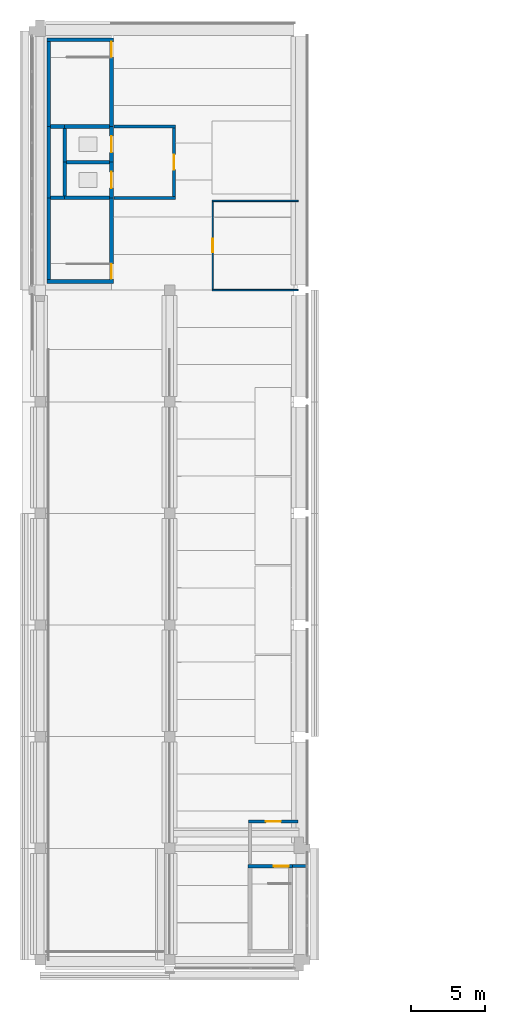
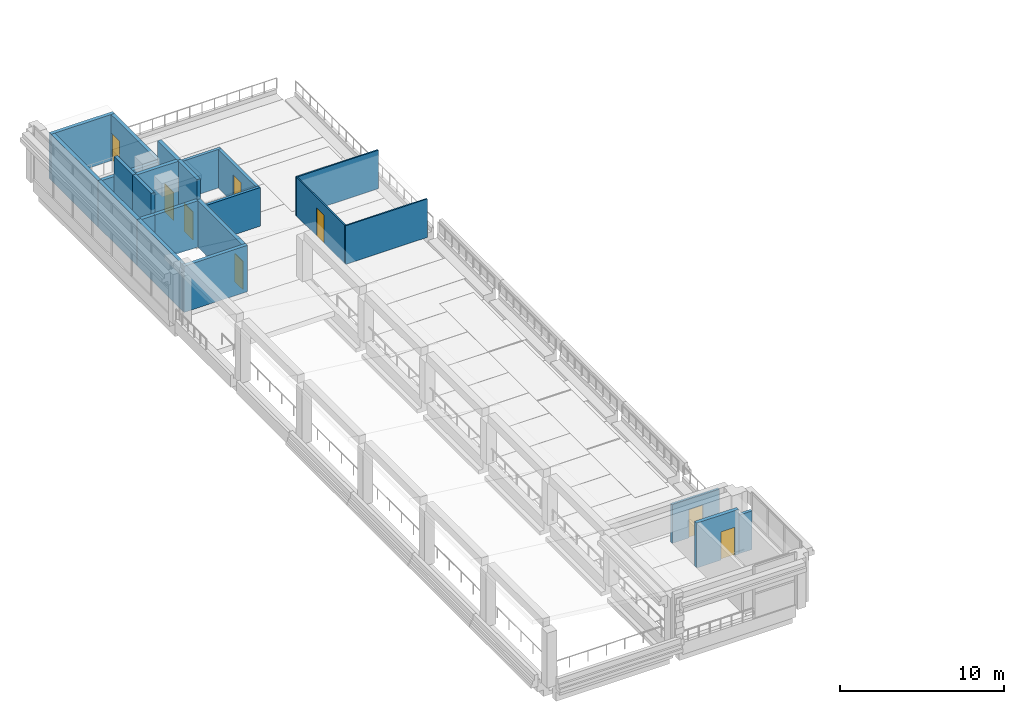
# One storey, part 9 of 17: 25 walls, 8 doors, 8 openings.
"""IFC4 building model written with IfcOpenShell, lengths in metres."""

from ifc_helpers import new_model, si_unit, direction, frame, frame_2d, origin, place, context, subcontext, project, spatial, rectangle, extrude, material, layer, layer_set, type_object, element, fill, save


model = new_model("IFC4")

# Units and contexts
model_context = context("Model", 3, precision=1e-05, world=origin(), true_north=direction((0.0, 1.0)))
body_context = subcontext(model_context, "Body", "Model", "MODEL_VIEW")
ifc_project = project(units=[si_unit("LENGTHUNIT", "METRE"), si_unit("AREAUNIT", "SQUARE_METRE"), si_unit("VOLUMEUNIT", "CUBIC_METRE"), si_unit("PLANEANGLEUNIT", "RADIAN"), si_unit("MASSUNIT", "GRAM", prefix="KILO")], contexts=[model_context])

# Site, building, storey
site_placement = place(None, origin())
site = spatial("IfcSite", under=ifc_project, at=site_placement, CompositionType="ELEMENT")
building_placement = place(site_placement, origin())
building = spatial("IfcBuilding", under=site, at=building_placement, Name="Cour d'Honneur Mobility Palace", CompositionType="ELEMENT")
storey_placement = place(building_placement, frame((0.0, 0.0, 34.10009765625)))
storey = spatial("IfcBuildingStorey", under=building, at=storey_placement, Name="L09", CompositionType="ELEMENT", Elevation=34.10009765625)

# Walls
ifc_material_1 = material(Name="Concrete C50", Category="concrete")
ifc_layer_1 = layer(ifc_material_1, 0.25)
ifc_layer_set_1 = layer_set([ifc_layer_1], Name="Concrete C50")
wall_type_1 = type_object("IfcWallType", Name="Lift shaft wall 250", PredefinedType="SHEAR", material=ifc_layer_set_1)
wall_1_placement = place(storey_placement, frame((1.77490234375, 53.60009765625, 0.0), z_axis=(0.0, 0.0, 1.0), x_axis=(1.0, 0.0, 0.0)))
element("IfcWall", 1, at=wall_1_placement, inside=storey, type_object=wall_type_1, Name="Lift shaft wall WL-CW4 L09", PredefinedType="SHEAR", context=body_context, shape_type="SweptSolid", body=[
    extrude(rectangle(XDim=2.900146484375, YDim=0.25, at=frame_2d((1.4501953125, 0.0))), origin(), (0.0, 0.0, 1.0), 4.949951171875),
])
wall_2_placement = place(storey_placement, frame((1.64990234375, 51.324951171875, 0.0), z_axis=(0.0, 0.0, 1.0), x_axis=(0.0, 1.0, 0.0)))
element("IfcWall", 2, at=wall_2_placement, inside=storey, type_object=wall_type_1, Name="Lift shaft wall WL-CW11 L09", PredefinedType="SHEAR", context=body_context, shape_type="SweptSolid", body=[
    extrude(rectangle(XDim=2.275146484375, YDim=0.25, at=frame_2d((1.1376953125, 0.0))), origin(), (0.0, 0.0, 1.0), 4.949951171875),
])
wall_3_placement = place(storey_placement, frame((1.64990234375, 53.60009765625, 0.0), z_axis=(0.0, 0.0, 1.0), x_axis=(0.0, 1.0, 0.0)))
element("IfcWall", 3, at=wall_3_placement, inside=storey, type_object=wall_type_1, Name="Lift shaft wall WL-CW12 L09", PredefinedType="SHEAR", context=body_context, shape_type="SweptSolid", body=[
    extrude(rectangle(XDim=2.27490234375, YDim=0.25, at=frame_2d((1.137451171875, 0.0))), origin(), (0.0, 0.0, 1.0), 4.949951171875),
])

# Wall, opening, door
wall_4_placement = place(storey_placement, frame((4.800048828125, 51.199951171875, 0.0), z_axis=(0.0, 0.0, 1.0), x_axis=(0.0, 1.0, 0.0)))
wall_4 = element("IfcWall", 4, at=wall_4_placement, inside=storey, type_object=wall_type_1, Name="Lift shaft wall WL-CW14 L09", PredefinedType="SHEAR", context=body_context, shape_type="SweptSolid", body=[
    extrude(rectangle(XDim=2.400146484375, YDim=0.25, at=frame_2d((1.2001953125, 0.0))), origin(), (0.0, 0.0, 1.0), 4.949951171875),
])
opening_1_placement = place(wall_4_placement, frame((0.64990234375, 0.0, 0.0)))
opening_1 = element("IfcOpeningElement", 5, at=opening_1_placement, cuts=wall_4, Name="Opening LD10", PredefinedType="OPENING", context=body_context, shape_type="SweptSolid", body=[
    extrude(rectangle(XDim=1.10009765625, YDim=2.10009765625, at=frame_2d((0.550048828125, 1.050048828125))), frame((0.0, 0.135009765625, 0.0), z_axis=(0.0, -1.0, 0.0), x_axis=(1.0, 0.0, 0.0)), (0.0, 0.0, 1.0), 0.27001953125),
])
ifc_material_2 = material(Name="Stainless steel", Category="steel")
door_type_1 = type_object("IfcDoorType", Name="Landing door 1100 x 2100", OperationType="SLIDING_TO_LEFT", PredefinedType="DOOR", material=ifc_material_2)
door_1_placement = place(opening_1_placement, origin())
door_1 = element("IfcDoor", 6, at=door_1_placement, inside=storey, type_object=door_type_1, Name="Landing door LF-CW1 L09", OperationType="SLIDING_TO_LEFT", OverallHeight=2.10009765625, OverallWidth=1.10009765625, PredefinedType="DOOR", context=body_context, shape_type="SweptSolid", body=[
    extrude(rectangle(XDim=1.10009765625, YDim=2.10009765625, at=frame_2d((0.550048828125, 1.050048828125))), frame((0.0, 0.02490234375, 0.0), z_axis=(0.0, -1.0, 0.0), x_axis=(1.0, 0.0, 0.0)), (0.0, 0.0, 1.0), 0.050048828125),
])
fill(opening_1, door_1)

wall_5_placement = place(storey_placement, frame((4.800048828125, 53.60009765625, 0.0), z_axis=(0.0, 0.0, 1.0), x_axis=(0.0, 1.0, 0.0)))
wall_5 = element("IfcWall", 7, at=wall_5_placement, inside=storey, type_object=wall_type_1, Name="Lift shaft wall WL-CW15 L09", PredefinedType="SHEAR", context=body_context, shape_type="SweptSolid", body=[
    extrude(rectangle(XDim=2.39990234375, YDim=0.25, at=frame_2d((1.199951171875, 0.0))), origin(), (0.0, 0.0, 1.0), 4.949951171875),
])
opening_2_placement = place(wall_5_placement, frame((0.64990234375, 0.0, 0.0)))
opening_2 = element("IfcOpeningElement", 8, at=opening_2_placement, cuts=wall_5, Name="Opening LD20", PredefinedType="OPENING", context=body_context, shape_type="SweptSolid", body=[
    extrude(rectangle(XDim=1.10009765625, YDim=2.10009765625, at=frame_2d((0.550048828125, 1.050048828125))), frame((0.0, 0.135009765625, 0.0), z_axis=(0.0, -1.0, 0.0), x_axis=(1.0, 0.0, 0.0)), (0.0, 0.0, 1.0), 0.27001953125),
])
door_2_placement = place(opening_2_placement, origin())
door_2 = element("IfcDoor", 9, at=door_2_placement, inside=storey, type_object=door_type_1, Name="Landing door LF-CW2 L09", OperationType="SLIDING_TO_LEFT", OverallHeight=2.10009765625, OverallWidth=1.10009765625, PredefinedType="DOOR", context=body_context, shape_type="SweptSolid", body=[
    extrude(rectangle(XDim=1.10009765625, YDim=2.10009765625, at=frame_2d((0.550048828125, 1.050048828125))), frame((0.0, 0.02490234375, 0.0), z_axis=(0.0, -1.0, 0.0), x_axis=(1.0, 0.0, 0.0)), (0.0, 0.0, 1.0), 0.050048828125),
])
fill(opening_2, door_2)

# Wall
ifc_material_3 = material(Name="Gypsum plasterboard")
ifc_layer_2 = layer(ifc_material_3, 0.10009765625)
ifc_layer_set_2 = layer_set([ifc_layer_2], Name="Gypsum plasterboard")
wall_type_2 = type_object("IfcWallType", Name="Partition 100", PredefinedType="PARTITIONING", material=ifc_layer_set_2)
wall_6_placement = place(storey_placement, frame((11.550048828125, 45.0, 0.0), z_axis=(0.0, 0.0, 1.0), x_axis=(1.0, 0.0, 0.0)))
element("IfcWall", 10, at=wall_6_placement, inside=storey, type_object=wall_type_2, Name="Partition 007", PredefinedType="PARTITIONING", context=body_context, shape_type="SweptSolid", body=[
    extrude(rectangle(XDim=5.7900390625, YDim=0.10009765625, at=frame_2d((2.89501953125, 0.0))), origin(), (0.0, 0.0, 1.0), 2.8798828125),
])

# Wall, opening, door
wall_7_placement = place(storey_placement, frame((11.60009765625, 50.949951171875, 0.0), z_axis=(0.0, 0.0, 1.0), x_axis=(0.0, -1.0, 0.0)))
wall_7 = element("IfcWall", 11, at=wall_7_placement, inside=storey, type_object=wall_type_2, Name="Partition 010", PredefinedType="PARTITIONING", context=body_context, shape_type="SweptSolid", body=[
    extrude(rectangle(XDim=5.89990234375, YDim=0.10009765625, at=frame_2d((2.949951171875, 0.0))), origin(), (0.0, 0.0, 1.0), 2.8798828125),
])
opening_3_placement = place(wall_7_placement, frame((2.5, 0.0, 0.0)))
opening_3 = element("IfcOpeningElement", 12, at=opening_3_placement, cuts=wall_7, Name="Opening D0904", PredefinedType="OPENING", context=body_context, shape_type="SweptSolid", body=[
    extrude(rectangle(XDim=0.89990234375, YDim=2.10009765625, at=frame_2d((0.449951171875, 1.050048828125))), frame((0.0, 0.06005859375, 0.0), z_axis=(0.0, -1.0, 0.0), x_axis=(1.0, 0.0, 0.0)), (0.0, 0.0, 1.0), 0.1201171875),
])
ifc_material_4 = material(Name="Solid timber", Category="wood")
door_type_2 = type_object("IfcDoorType", Name="Single door 900 x 2100", OperationType="SINGLE_SWING_LEFT", PredefinedType="DOOR", material=ifc_material_4)
door_3_placement = place(opening_3_placement, frame((0.89990234375, 0.0, 0.0), z_axis=(0.0, 0.0, 1.0), x_axis=(-1.0, 0.0, 0.0)))
door_3 = element("IfcDoor", 13, at=door_3_placement, inside=storey, type_object=door_type_2, Name="Door Charging Control Room", OperationType="SINGLE_SWING_LEFT", OverallHeight=2.10009765625, OverallWidth=0.89990234375, PredefinedType="DOOR", context=body_context, shape_type="SweptSolid", body=[
    extrude(rectangle(XDim=0.89990234375, YDim=2.10009765625, at=frame_2d((0.449951171875, 1.050048828125))), frame((0.0, 0.02490234375, 0.0), z_axis=(0.0, -1.0, 0.0), x_axis=(1.0, 0.0, 0.0)), (0.0, 0.0, 1.0), 0.050048828125),
])
fill(opening_3, door_3)

# Walls
wall_8_placement = place(storey_placement, frame((17.340087890625, 51.0, 0.0), z_axis=(0.0, 0.0, 1.0), x_axis=(-1.0, 0.0, 0.0)))
element("IfcWall", 14, at=wall_8_placement, inside=storey, type_object=wall_type_2, Name="Partition 011", PredefinedType="PARTITIONING", context=body_context, shape_type="SweptSolid", body=[
    extrude(rectangle(XDim=5.7900390625, YDim=0.10009765625, at=frame_2d((2.89501953125, 0.0))), origin(), (0.0, 0.0, 1.0), 2.8798828125),
])
ifc_material_5 = material(Name="Gypsum plasterboard")
ifc_layer_3 = layer(ifc_material_5, 0.199951171875)
ifc_layer_set_3 = layer_set([ifc_layer_3], Name="Gypsum plasterboard")
wall_type_3 = type_object("IfcWallType", Name="Partition 200 rated EI 120", PredefinedType="PARTITIONING", material=ifc_layer_set_3)
wall_9_placement = place(storey_placement, frame((16.949951171875, 6.300048828125, 0.0), z_axis=(0.0, 0.0, 1.0), x_axis=(1.0, 0.0, 0.0)))
element("IfcWall", 15, at=wall_9_placement, inside=storey, type_object=wall_type_3, Name="Partition 001", PredefinedType="PARTITIONING", context=body_context, shape_type="SweptSolid", body=[
    extrude(rectangle(XDim=0.949951171875, YDim=0.199951171875, at=frame_2d((0.47509765625, 0.0))), origin(), (0.0, 0.0, 1.0), 2.8798828125),
])

# Wall, opening, door
wall_10_placement = place(storey_placement, frame((17.340087890625, 9.300048828125, 0.0), z_axis=(0.0, 0.0, 1.0), x_axis=(-1.0, 0.0, 0.0)))
wall_10 = element("IfcWall", 16, at=wall_10_placement, inside=storey, type_object=wall_type_3, Name="Partition 005", PredefinedType="PARTITIONING", context=body_context, shape_type="SweptSolid", body=[
    extrude(rectangle(XDim=3.340087890625, YDim=0.199951171875, at=frame_2d((1.669921875, 0.0))), origin(), (0.0, 0.0, 1.0), 2.8798828125),
])
opening_4_placement = place(wall_10_placement, frame((1.169921875, 0.0, 0.0)))
opening_4 = element("IfcOpeningElement", 17, at=opening_4_placement, cuts=wall_10, Name="Opening D0902", PredefinedType="OPENING", context=body_context, shape_type="SweptSolid", body=[
    extrude(rectangle(XDim=1.0, YDim=2.10009765625, at=frame_2d((0.5, 1.050048828125))), frame((0.0, 0.10986328125, 0.0), z_axis=(0.0, -1.0, 0.0), x_axis=(1.0, 0.0, 0.0)), (0.0, 0.0, 1.0), 0.219970703125),
])
ifc_material_6 = material(Name="Galvanised steel", Category="steel")
door_type_3 = type_object("IfcDoorType", Name="Fire door FD120 1000 x 2100", OperationType="SINGLE_SWING_LEFT", PredefinedType="DOOR", material=ifc_material_6)
door_4_placement = place(opening_4_placement, origin())
door_4 = element("IfcDoor", 18, at=door_4_placement, inside=storey, type_object=door_type_3, Name="Door Stair Lobby RW", OperationType="SINGLE_SWING_LEFT", OverallHeight=2.10009765625, OverallWidth=1.0, PredefinedType="DOOR", context=body_context, shape_type="SweptSolid", body=[
    extrude(rectangle(XDim=1.0, YDim=2.10009765625, at=frame_2d((0.5, 1.050048828125))), frame((0.0, 0.02490234375, 0.0), z_axis=(0.0, -1.0, 0.0), x_axis=(1.0, 0.0, 0.0)), (0.0, 0.0, 1.0), 0.050048828125),
])
fill(opening_4, door_4)

# Wall
wall_11_placement = place(storey_placement, frame((4.97509765625, 51.199951171875, 0.0), z_axis=(0.0, 0.0, 1.0), x_axis=(1.0, 0.0, 0.0)))
element("IfcWall", 19, at=wall_11_placement, inside=storey, type_object=wall_type_3, Name="Partition 013", PredefinedType="PARTITIONING", context=body_context, shape_type="SweptSolid", body=[
    extrude(rectangle(XDim=4.125, YDim=0.199951171875, at=frame_2d((2.0625, 0.0))), origin(), (0.0, 0.0, 1.0), 2.8798828125),
])

# Wall, opening, door
wall_12_placement = place(storey_placement, frame((9.0, 51.300048828125, 0.0), z_axis=(0.0, 0.0, 1.0), x_axis=(0.0, 1.0, 0.0)))
wall_12 = element("IfcWall", 20, at=wall_12_placement, inside=storey, type_object=wall_type_3, Name="Partition 014", PredefinedType="PARTITIONING", context=body_context, shape_type="SweptSolid", body=[
    extrude(rectangle(XDim=4.599853515625, YDim=0.199951171875, at=frame_2d((2.2998046875, 0.0))), origin(), (0.0, 0.0, 1.0), 2.8798828125),
])
opening_5_placement = place(wall_12_placement, frame((1.800048828125, 0.0, 0.0)))
opening_5 = element("IfcOpeningElement", 21, at=opening_5_placement, cuts=wall_12, Name="Opening D0901", PredefinedType="OPENING", context=body_context, shape_type="SweptSolid", body=[
    extrude(rectangle(XDim=1.0, YDim=2.10009765625, at=frame_2d((0.5, 1.050048828125))), frame((0.0, 0.10986328125, 0.0), z_axis=(0.0, -1.0, 0.0), x_axis=(1.0, 0.0, 0.0)), (0.0, 0.0, 1.0), 0.219970703125),
])
door_5_placement = place(opening_5_placement, frame((1.0, 0.0, 0.0), z_axis=(0.0, 0.0, 1.0), x_axis=(-1.0, 0.0, 0.0)))
door_5 = element("IfcDoor", 22, at=door_5_placement, inside=storey, type_object=door_type_3, Name="Door Firefighting Lobby CW", OperationType="SINGLE_SWING_LEFT", OverallHeight=2.10009765625, OverallWidth=1.0, PredefinedType="DOOR", context=body_context, shape_type="SweptSolid", body=[
    extrude(rectangle(XDim=1.0, YDim=2.10009765625, at=frame_2d((0.5, 1.050048828125))), frame((0.0, 0.02490234375, 0.0), z_axis=(0.0, -1.0, 0.0), x_axis=(1.0, 0.0, 0.0)), (0.0, 0.0, 1.0), 0.050048828125),
])
fill(opening_5, door_5)

# Walls
wall_13_placement = place(storey_placement, frame((9.10009765625, 56.0, 0.0), z_axis=(0.0, 0.0, 1.0), x_axis=(-1.0, 0.0, 0.0)))
element("IfcWall", 23, at=wall_13_placement, inside=storey, type_object=wall_type_3, Name="Partition 016", PredefinedType="PARTITIONING", context=body_context, shape_type="SweptSolid", body=[
    extrude(rectangle(XDim=4.125, YDim=0.199951171875, at=frame_2d((2.0625, 0.0))), origin(), (0.0, 0.0, 1.0), 2.8798828125),
])
ifc_material_7 = material(Name="Concrete C50", Category="concrete")
ifc_layer_4 = layer(ifc_material_7, 0.25)
ifc_layer_set_4 = layer_set([ifc_layer_4], Name="Concrete C50")
wall_type_4 = type_object("IfcWallType", Name="Shaft wall 250", PredefinedType="SHEAR", material=ifc_layer_set_4)
wall_14_placement = place(storey_placement, frame((0.574951171875, 51.199951171875, 0.0), z_axis=(0.0, 0.0, 1.0), x_axis=(0.0, 1.0, 0.0)))
element("IfcWall", 24, at=wall_14_placement, inside=storey, type_object=wall_type_4, Name="Shaft wall WR-CW9 L09", PredefinedType="SHEAR", context=body_context, shape_type="SweptSolid", body=[
    extrude(rectangle(XDim=4.800048828125, YDim=0.25, at=frame_2d((2.39990234375, 0.0))), origin(), (0.0, 0.0, 1.0), 3.449951171875),
])
ifc_material_8 = material(Name="Concrete C50", Category="concrete")
ifc_layer_5 = layer(ifc_material_8, 0.25)
ifc_layer_set_5 = layer_set([ifc_layer_5], Name="Concrete C50")
wall_type_5 = type_object("IfcWallType", Name="Stair wall 250", PredefinedType="SHEAR", material=ifc_layer_set_5)
wall_15_placement = place(storey_placement, frame((0.449951171875, 45.574951171875, 0.0), z_axis=(0.0, 0.0, 1.0), x_axis=(1.0, 0.0, 0.0)))
element("IfcWall", 25, at=wall_15_placement, inside=storey, type_object=wall_type_5, Name="Stair wall WS-CW1 L09", PredefinedType="SHEAR", context=body_context, shape_type="SweptSolid", body=[
    extrude(rectangle(XDim=4.47509765625, YDim=0.25, at=frame_2d((2.237548828125, 0.0))), origin(), (0.0, 0.0, 1.0), 3.449951171875),
])
wall_16_placement = place(storey_placement, frame((0.699951171875, 51.199951171875, 0.0), z_axis=(0.0, 0.0, 1.0), x_axis=(1.0, 0.0, 0.0)))
element("IfcWall", 26, at=wall_16_placement, inside=storey, type_object=wall_type_5, Name="Stair wall WS-CW2 L09", PredefinedType="SHEAR", context=body_context, shape_type="SweptSolid", body=[
    extrude(rectangle(XDim=0.949951171875, YDim=0.25, at=frame_2d((0.47509765625, 0.0))), origin(), (0.0, 0.0, 1.0), 3.449951171875),
])
wall_17_placement = place(storey_placement, frame((1.64990234375, 51.199951171875, 0.0), z_axis=(0.0, 0.0, 1.0), x_axis=(1.0, 0.0, 0.0)))
element("IfcWall", 27, at=wall_17_placement, inside=storey, type_object=wall_type_5, Name="Stair wall WS-CW3 L09", PredefinedType="SHEAR", context=body_context, shape_type="SweptSolid", body=[
    extrude(rectangle(XDim=3.025146484375, YDim=0.25, at=frame_2d((1.5126953125, 0.0))), origin(), (0.0, 0.0, 1.0), 3.449951171875),
])
wall_18_placement = place(storey_placement, frame((0.699951171875, 56.0, 0.0), z_axis=(0.0, 0.0, 1.0), x_axis=(1.0, 0.0, 0.0)))
element("IfcWall", 28, at=wall_18_placement, inside=storey, type_object=wall_type_5, Name="Stair wall WS-CW5 L09", PredefinedType="SHEAR", context=body_context, shape_type="SweptSolid", body=[
    extrude(rectangle(XDim=0.949951171875, YDim=0.25, at=frame_2d((0.47509765625, 0.0))), origin(), (0.0, 0.0, 1.0), 3.449951171875),
])
wall_19_placement = place(storey_placement, frame((1.64990234375, 56.0, 0.0), z_axis=(0.0, 0.0, 1.0), x_axis=(1.0, 0.0, 0.0)))
element("IfcWall", 29, at=wall_19_placement, inside=storey, type_object=wall_type_5, Name="Stair wall WS-CW6 L09", PredefinedType="SHEAR", context=body_context, shape_type="SweptSolid", body=[
    extrude(rectangle(XDim=3.025146484375, YDim=0.25, at=frame_2d((1.5126953125, 0.0))), origin(), (0.0, 0.0, 1.0), 3.449951171875),
])
wall_20_placement = place(storey_placement, frame((0.449951171875, 61.824951171875, 0.0), z_axis=(0.0, 0.0, 1.0), x_axis=(1.0, 0.0, 0.0)))
element("IfcWall", 30, at=wall_20_placement, inside=storey, type_object=wall_type_5, Name="Stair wall WS-CW7 L09", PredefinedType="SHEAR", context=body_context, shape_type="SweptSolid", body=[
    extrude(rectangle(XDim=4.47509765625, YDim=0.25, at=frame_2d((2.237548828125, 0.0))), origin(), (0.0, 0.0, 1.0), 3.449951171875),
])
wall_21_placement = place(storey_placement, frame((0.574951171875, 45.699951171875, 0.0), z_axis=(0.0, 0.0, 1.0), x_axis=(0.0, 1.0, 0.0)))
element("IfcWall", 31, at=wall_21_placement, inside=storey, type_object=wall_type_5, Name="Stair wall WS-CW8 L09", PredefinedType="SHEAR", context=body_context, shape_type="SweptSolid", body=[
    extrude(rectangle(XDim=5.5, YDim=0.25, at=frame_2d((2.75, 0.0))), origin(), (0.0, 0.0, 1.0), 3.449951171875),
])
wall_22_placement = place(storey_placement, frame((0.574951171875, 56.0, 0.0), z_axis=(0.0, 0.0, 1.0), x_axis=(0.0, 1.0, 0.0)))
element("IfcWall", 32, at=wall_22_placement, inside=storey, type_object=wall_type_5, Name="Stair wall WS-CW10 L09", PredefinedType="SHEAR", context=body_context, shape_type="SweptSolid", body=[
    extrude(rectangle(XDim=5.699951171875, YDim=0.25, at=frame_2d((2.85009765625, 0.0))), origin(), (0.0, 0.0, 1.0), 3.449951171875),
])

# Wall, opening, door
wall_23_placement = place(storey_placement, frame((4.800048828125, 45.699951171875, 0.0), z_axis=(0.0, 0.0, 1.0), x_axis=(0.0, 1.0, 0.0)))
wall_23 = element("IfcWall", 33, at=wall_23_placement, inside=storey, type_object=wall_type_5, Name="Stair wall WS-CW13 L09", PredefinedType="SHEAR", context=body_context, shape_type="SweptSolid", body=[
    extrude(rectangle(XDim=5.5, YDim=0.25, at=frame_2d((2.75, 0.0))), origin(), (0.0, 0.0, 1.0), 3.449951171875),
])
opening_6_placement = place(wall_23_placement, frame((0.050048828125, 0.0, 0.0)))
opening_6 = element("IfcOpeningElement", 34, at=opening_6_placement, cuts=wall_23, Name="Opening S138", PredefinedType="OPENING", context=body_context, shape_type="SweptSolid", body=[
    extrude(rectangle(XDim=1.0, YDim=2.10009765625, at=frame_2d((0.5, 1.050048828125))), frame((0.0, 0.135009765625, 0.0), z_axis=(0.0, -1.0, 0.0), x_axis=(1.0, 0.0, 0.0)), (0.0, 0.0, 1.0), 0.27001953125),
])
ifc_material_9 = material(Name="Galvanised steel", Category="steel")
door_type_4 = type_object("IfcDoorType", Name="Fire door FD120 stair 1000 x 2100", OperationType="SINGLE_SWING_LEFT", PredefinedType="DOOR", material=ifc_material_9)
door_6_placement = place(opening_6_placement, origin())
door_6 = element("IfcDoor", 35, at=door_6_placement, inside=storey, type_object=door_type_4, Name="Stair door ST-CW1 L09", OperationType="SINGLE_SWING_RIGHT", OverallHeight=2.10009765625, OverallWidth=1.0, PredefinedType="DOOR", context=body_context, shape_type="SweptSolid", body=[
    extrude(rectangle(XDim=1.0, YDim=2.10009765625, at=frame_2d((0.5, 1.050048828125))), frame((0.0, 0.02490234375, 0.0), z_axis=(0.0, -1.0, 0.0), x_axis=(1.0, 0.0, 0.0)), (0.0, 0.0, 1.0), 0.050048828125),
])
fill(opening_6, door_6)

wall_24_placement = place(storey_placement, frame((4.800048828125, 56.0, 0.0), z_axis=(0.0, 0.0, 1.0), x_axis=(0.0, 1.0, 0.0)))
wall_24 = element("IfcWall", 36, at=wall_24_placement, inside=storey, type_object=wall_type_5, Name="Stair wall WS-CW16 L09", PredefinedType="SHEAR", context=body_context, shape_type="SweptSolid", body=[
    extrude(rectangle(XDim=5.699951171875, YDim=0.25, at=frame_2d((2.85009765625, 0.0))), origin(), (0.0, 0.0, 1.0), 3.449951171875),
])
opening_7_placement = place(wall_24_placement, frame((4.675048828125, 0.0, 0.0)))
opening_7 = element("IfcOpeningElement", 37, at=opening_7_placement, cuts=wall_24, Name="Opening S74", PredefinedType="OPENING", context=body_context, shape_type="SweptSolid", body=[
    extrude(rectangle(XDim=1.0, YDim=2.10009765625, at=frame_2d((0.5, 1.050048828125))), frame((0.0, 0.135009765625, 0.0), z_axis=(0.0, -1.0, 0.0), x_axis=(1.0, 0.0, 0.0)), (0.0, 0.0, 1.0), 0.27001953125),
])
door_7_placement = place(opening_7_placement, origin())
door_7 = element("IfcDoor", 38, at=door_7_placement, inside=storey, type_object=door_type_4, Name="Stair door ST-CW2 L09", OperationType="SINGLE_SWING_LEFT", OverallHeight=2.10009765625, OverallWidth=1.0, PredefinedType="DOOR", context=body_context, shape_type="SweptSolid", body=[
    extrude(rectangle(XDim=1.0, YDim=2.10009765625, at=frame_2d((0.5, 1.050048828125))), frame((0.0, 0.02490234375, 0.0), z_axis=(0.0, -1.0, 0.0), x_axis=(1.0, 0.0, 0.0)), (0.0, 0.0, 1.0), 0.050048828125),
])
fill(opening_7, door_7)

wall_25_placement = place(storey_placement, frame((13.97509765625, 6.300048828125, 0.0), z_axis=(0.0, 0.0, 1.0), x_axis=(1.0, 0.0, 0.0)))
wall_25 = element("IfcWall", 39, at=wall_25_placement, inside=storey, type_object=wall_type_5, Name="Stair wall WS-RW2 L09", PredefinedType="SHEAR", context=body_context, shape_type="SweptSolid", body=[
    extrude(rectangle(XDim=2.974853515625, YDim=0.25, at=frame_2d((1.4873046875, 0.0))), origin(), (0.0, 0.0, 1.0), 3.349853515625),
])
opening_8_placement = place(wall_25_placement, frame((1.72509765625, 0.0, 0.0)))
opening_8 = element("IfcOpeningElement", 40, at=opening_8_placement, cuts=wall_25, Name="Opening S118", PredefinedType="OPENING", context=body_context, shape_type="SweptSolid", body=[
    extrude(rectangle(XDim=1.0, YDim=2.10009765625, at=frame_2d((0.5, 1.050048828125))), frame((0.0, 0.135009765625, 0.0), z_axis=(0.0, -1.0, 0.0), x_axis=(1.0, 0.0, 0.0)), (0.0, 0.0, 1.0), 0.27001953125),
])
door_8_placement = place(opening_8_placement, origin())
door_8 = element("IfcDoor", 41, at=door_8_placement, inside=storey, type_object=door_type_4, Name="Stair door ST-RW1 L09", OperationType="SINGLE_SWING_RIGHT", OverallHeight=2.10009765625, OverallWidth=1.0, PredefinedType="DOOR", context=body_context, shape_type="SweptSolid", body=[
    extrude(rectangle(XDim=1.0, YDim=2.10009765625, at=frame_2d((0.5, 1.050048828125))), frame((0.0, 0.02490234375, 0.0), z_axis=(0.0, -1.0, 0.0), x_axis=(1.0, 0.0, 0.0)), (0.0, 0.0, 1.0), 0.050048828125),
])
fill(opening_8, door_8)

save(model, "model.ifc")
